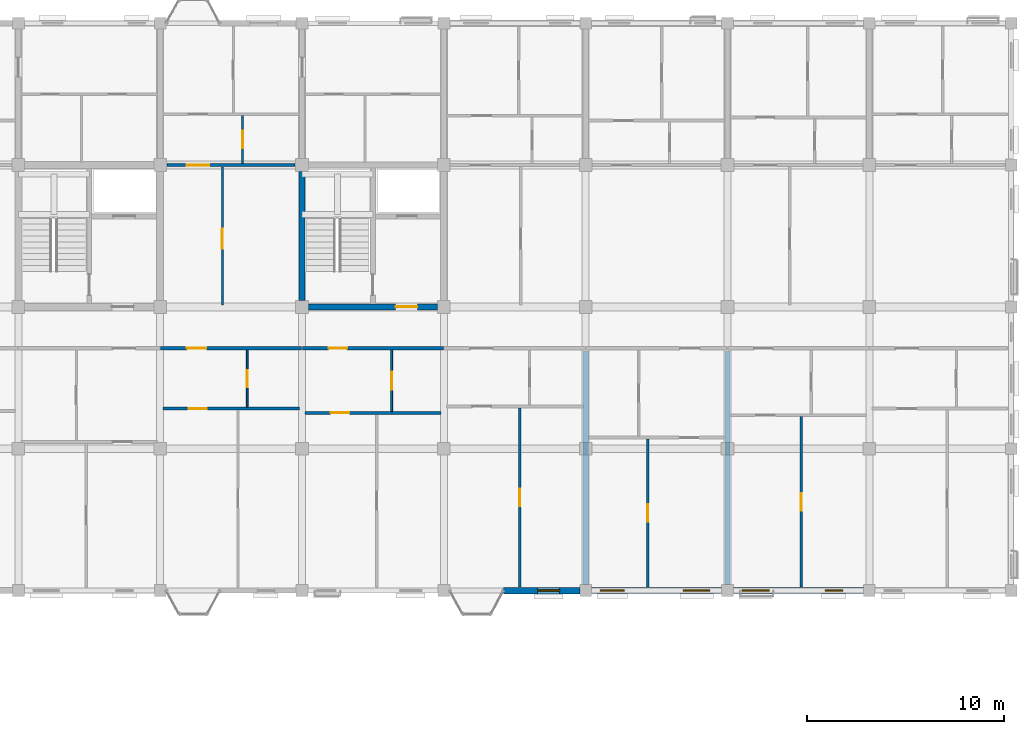
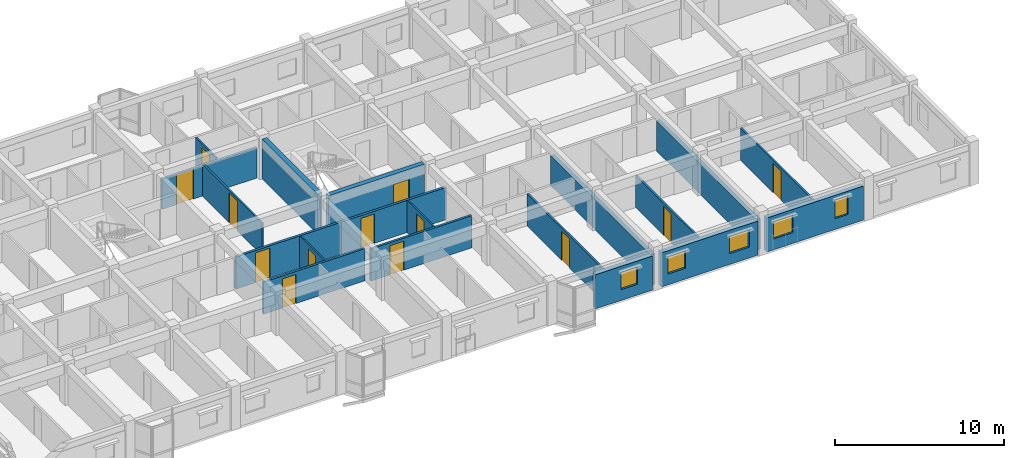
# One storey, part 108 of 124: 19 walls, 13 doors, 5 windows, 18 openings.
"""IFC4 building model written with IfcOpenShell, lengths in metres."""

from ifc_helpers import new_model, si_unit, direction, frame, frame_2d, origin, place, context, subcontext, project, spatial, rectangle, extrude, material, layer, layer_set, type_object, element, fill, save


model = new_model("IFC4")

# Units and contexts
model_context = context("Model", 3, precision=1e-05, world=origin(), true_north=direction((0.0, 1.0)))
body_context = subcontext(model_context, "Body", "Model", "MODEL_VIEW")
ifc_project = project(units=[si_unit("LENGTHUNIT", "METRE"), si_unit("AREAUNIT", "SQUARE_METRE"), si_unit("VOLUMEUNIT", "CUBIC_METRE"), si_unit("PLANEANGLEUNIT", "RADIAN"), si_unit("MASSUNIT", "GRAM", prefix="KILO"), si_unit("THERMODYNAMICTEMPERATUREUNIT", "KELVIN"), si_unit("POWERUNIT", "WATT")], contexts=[model_context])

# Site, building, storey
site_placement = place(None, origin())
site = spatial("IfcSite", under=ifc_project, at=site_placement, CompositionType="ELEMENT")
building_placement = place(site_placement, origin())
building = spatial("IfcBuilding", under=site, at=building_placement, Name="Tavuni Mirador Residences", CompositionType="ELEMENT")
storey_placement = place(building_placement, frame((0.0, 0.0, 7.64990234375)))
storey = spatial("IfcBuildingStorey", under=building, at=storey_placement, Name="L02", CompositionType="ELEMENT", Elevation=7.64990234375)

# Wall
ifc_material_1 = material(Name="Precast concrete C40/50", Category="concrete")
ifc_layer_1 = layer(ifc_material_1, 0.320068359375, Name="Precast concrete C40/50", Category="concrete")
ifc_layer_set_1 = layer_set([ifc_layer_1], Name="Precast concrete C40/50")
wall_type_1 = type_object("IfcWallType", Name="WT-COR320", PredefinedType="SHEAR", material=ifc_layer_set_1)
wall_1_placement = place(storey_placement, frame((39.60009765625, 158.72509765625, 0.0), z_axis=(0.0, 0.0, 1.0), x_axis=(0.0, 1.0, 0.0)))
element("IfcWall", 1, at=wall_1_placement, inside=storey, type_object=wall_type_1, Name="CWALL-C6-L02-W", PredefinedType="SHEAR", context=body_context, shape_type="SweptSolid", body=[
    extrude(rectangle(XDim=6.5498046875, YDim=0.320068359375, at=frame_2d((3.27490234375, 0.0))), origin(), (0.0, 0.0, 1.0), 2.885009765625),
])

# Wall, opening, door
wall_2_placement = place(storey_placement, frame((39.925048828125, 158.39990234375, 0.0), z_axis=(0.0, 0.0, 1.0), x_axis=(1.0, 0.0, 0.0)))
wall_2 = element("IfcWall", 2, at=wall_2_placement, inside=storey, type_object=wall_type_1, Name="CWALL-C6-L02-SS", PredefinedType="SHEAR", context=body_context, shape_type="SweptSolid", body=[
    extrude(rectangle(XDim=6.550048828125, YDim=0.320068359375, at=frame_2d((3.27490234375, 0.0))), origin(), (0.0, 0.0, 1.0), 2.885009765625),
])
opening_1_placement = place(wall_2_placement, frame((4.425048828125, 0.0, 0.0)))
opening_1 = element("IfcOpeningElement", 3, at=opening_1_placement, cuts=wall_2, Name="Opening D-02", PredefinedType="OPENING", context=body_context, shape_type="SweptSolid", body=[
    extrude(rectangle(XDim=1.10009765625, YDim=2.14990234375, at=frame_2d((0.550048828125, 1.074951171875))), frame((0.0, 0.169921875, 0.0), z_axis=(0.0, -1.0, 0.0), x_axis=(1.0, 0.0, 0.0)), (0.0, 0.0, 1.0), 0.340087890625),
])
ifc_material_2 = material(Name="Solid core iroko timber", Category="wood")
door_type_1 = type_object("IfcDoorType", Name="DT-LOB1100", OperationType="NOTDEFINED", PredefinedType="DOOR", material=ifc_material_2)
door_1_placement = place(opening_1_placement, frame((1.10009765625, 0.0, 0.0), z_axis=(0.0, 0.0, 1.0), x_axis=(-1.0, 0.0, 0.0)))
door_1 = element("IfcDoor", 4, at=door_1_placement, inside=storey, type_object=door_type_1, Name="DR-2225", OperationType="SINGLE_SWING_LEFT", OverallHeight=2.14990234375, OverallWidth=1.10009765625, PredefinedType="DOOR", context=body_context, shape_type="SweptSolid", body=[
    extrude(rectangle(XDim=1.10009765625, YDim=2.14990234375, at=frame_2d((0.550048828125, 1.074951171875))), frame((0.0, 0.02490234375, 0.0), z_axis=(0.0, -1.0, 0.0), x_axis=(1.0, 0.0, 0.0)), (0.0, 0.0, 1.0), 0.050048828125),
])
fill(opening_1, door_1)

ifc_layer_2 = layer(ifc_material_1, 0.1650390625, Name="Precast concrete C40/50", Category="concrete")
ifc_layer_set_2 = layer_set([ifc_layer_2], Name="Precast concrete C40/50")
wall_type_2 = type_object("IfcWallType", Name="WT-CORR165", PredefinedType="PARTITIONING", material=ifc_layer_set_2)
wall_3_placement = place(storey_placement, frame((32.419921875, 156.300048828125, 0.0), z_axis=(0.0, 0.0, 1.0), x_axis=(1.0, 0.0, 0.0)))
wall_3 = element("IfcWall", 5, at=wall_3_placement, inside=storey, type_object=wall_type_2, Name="CORW-BLK-C-L02-0-03", PredefinedType="PARTITIONING", context=body_context, shape_type="SweptSolid", body=[
    extrude(rectangle(XDim=7.16015625, YDim=0.1650390625, at=frame_2d((3.580078125, 0.0))), origin(), (0.0, 0.0, 1.0), 2.320068359375),
])
opening_2_placement = place(wall_3_placement, frame((1.330078125, 0.0, 0.0)))
opening_2 = element("IfcOpeningElement", 6, at=opening_2_placement, cuts=wall_3, Name="Opening D-03", PredefinedType="OPENING", context=body_context, shape_type="SweptSolid", body=[
    extrude(rectangle(XDim=1.0, YDim=2.14990234375, at=frame_2d((0.5, 1.074951171875))), frame((0.0, 0.092529296875, 0.0), z_axis=(0.0, -1.0, 0.0), x_axis=(1.0, 0.0, 0.0)), (0.0, 0.0, 1.0), 0.18505859375),
])
door_type_2 = type_object("IfcDoorType", Name="DT-FD60-1000", OperationType="NOTDEFINED", PredefinedType="DOOR", material=ifc_material_2)
door_2_placement = place(opening_2_placement, origin())
door_2 = element("IfcDoor", 7, at=door_2_placement, inside=storey, type_object=door_type_2, Name="DR-2646", OperationType="SINGLE_SWING_LEFT", OverallHeight=2.14990234375, OverallWidth=1.0, PredefinedType="DOOR", context=body_context, shape_type="SweptSolid", body=[
    extrude(rectangle(XDim=1.0, YDim=2.14990234375, at=frame_2d((0.5, 1.074951171875))), frame((0.0, 0.02490234375, 0.0), z_axis=(0.0, -1.0, 0.0), x_axis=(1.0, 0.0, 0.0)), (0.0, 0.0, 1.0), 0.050048828125),
])
fill(opening_2, door_2)

wall_4_placement = place(storey_placement, frame((39.6201171875, 156.300048828125, 0.0), z_axis=(0.0, 0.0, 1.0), x_axis=(1.0, 0.0, 0.0)))
wall_4 = element("IfcWall", 8, at=wall_4_placement, inside=storey, type_object=wall_type_2, Name="CORW-BLK-C-L02-0-04", PredefinedType="PARTITIONING", context=body_context, shape_type="SweptSolid", body=[
    extrude(rectangle(XDim=7.159912109375, YDim=0.1650390625, at=frame_2d((3.580078125, 0.0))), origin(), (0.0, 0.0, 1.0), 2.320068359375),
])
opening_3_placement = place(wall_4_placement, frame((1.330078125, 0.0, 0.0)))
opening_3 = element("IfcOpeningElement", 9, at=opening_3_placement, cuts=wall_4, Name="Opening D-19", PredefinedType="OPENING", context=body_context, shape_type="SweptSolid", body=[
    extrude(rectangle(XDim=0.93994140625, YDim=2.1201171875, at=frame_2d((0.469970703125, 1.06005859375))), frame((0.0, 0.092529296875, 0.0), z_axis=(0.0, -1.0, 0.0), x_axis=(1.0, 0.0, 0.0)), (0.0, 0.0, 1.0), 0.18505859375),
])
door_type_3 = type_object("IfcDoorType", Name="DT-FD60-940", OperationType="NOTDEFINED", PredefinedType="DOOR", material=ifc_material_2)
door_3_placement = place(opening_3_placement, origin())
door_3 = element("IfcDoor", 10, at=door_3_placement, inside=storey, type_object=door_type_3, Name="DR-2647", OperationType="SINGLE_SWING_RIGHT", OverallHeight=2.1201171875, OverallWidth=0.93994140625, PredefinedType="DOOR", context=body_context, shape_type="SweptSolid", body=[
    extrude(rectangle(XDim=0.93994140625, YDim=2.1201171875, at=frame_2d((0.469970703125, 1.06005859375))), frame((0.0, 0.02490234375, 0.0), z_axis=(0.0, -1.0, 0.0), x_axis=(1.0, 0.0, 0.0)), (0.0, 0.0, 1.0), 0.050048828125),
])
fill(opening_3, door_3)

wall_5_placement = place(storey_placement, frame((32.75, 165.60009765625, 0.0), z_axis=(0.0, 0.0, 1.0), x_axis=(1.0, 0.0, 0.0)))
wall_5 = element("IfcWall", 11, at=wall_5_placement, inside=storey, type_object=wall_type_2, Name="CORW-BLK-C-L02-1-03", PredefinedType="PARTITIONING", context=body_context, shape_type="SweptSolid", body=[
    extrude(rectangle(XDim=6.5, YDim=0.1650390625, at=frame_2d((3.25, 0.0))), origin(), (0.0, 0.0, 1.0), 2.18505859375),
])
opening_4_placement = place(wall_5_placement, frame((1.0, 0.0, 0.0)))
opening_4 = element("IfcOpeningElement", 12, at=opening_4_placement, cuts=wall_5, Name="Opening D-20", PredefinedType="OPENING", context=body_context, shape_type="SweptSolid", body=[
    extrude(rectangle(XDim=1.139892578125, YDim=2.179931640625, at=frame_2d((0.56982421875, 1.08984375))), frame((0.0, 0.092529296875, 0.0), z_axis=(0.0, -1.0, 0.0), x_axis=(1.0, 0.0, 0.0)), (0.0, 0.0, 1.0), 0.18505859375),
])
door_type_4 = type_object("IfcDoorType", Name="DT-FD60-1140", OperationType="NOTDEFINED", PredefinedType="DOOR", material=ifc_material_2)
door_4_placement = place(opening_4_placement, origin())
door_4 = element("IfcDoor", 13, at=door_4_placement, inside=storey, type_object=door_type_4, Name="DR-2654", OperationType="SINGLE_SWING_LEFT", OverallHeight=2.179931640625, OverallWidth=1.139892578125, PredefinedType="DOOR", context=body_context, shape_type="SweptSolid", body=[
    extrude(rectangle(XDim=1.139892578125, YDim=2.179931640625, at=frame_2d((0.56982421875, 1.08984375))), frame((0.0, 0.02490234375, 0.0), z_axis=(0.0, -1.0, 0.0), x_axis=(1.0, 0.0, 0.0)), (0.0, 0.0, 1.0), 0.050048828125),
])
fill(opening_4, door_4)

# Wall, opening, window
ifc_layer_3 = layer(ifc_material_1, 0.330078125, Name="Precast concrete C40/50", Category="concrete")
ifc_layer_set_3 = layer_set([ifc_layer_3], Name="Precast concrete C40/50")
wall_type_3 = type_object("IfcWallType", Name="WT-EXT-COR330", PredefinedType="SOLIDWALL", material=ifc_layer_set_3)
wall_6_placement = place(storey_placement, frame((49.820068359375, 144.0, 0.0), z_axis=(0.0, 0.0, 1.0), x_axis=(1.0, 0.0, 0.0)))
wall_6 = element("IfcWall", 14, at=wall_6_placement, inside=storey, type_object=wall_type_3, Name="EW-BLK-C-L02-S05", PredefinedType="SOLIDWALL", context=body_context, shape_type="SweptSolid", body=[
    extrude(rectangle(XDim=3.8798828125, YDim=0.330078125, at=frame_2d((1.93994140625, 0.0))), origin(), (0.0, 0.0, 1.0), 2.455078125),
])
opening_5_placement = place(wall_6_placement, frame((1.739990234375, 0.0, 0.780029296875)))
opening_5 = element("IfcOpeningElement", 15, at=opening_5_placement, cuts=wall_6, Name="Opening WN-12", PredefinedType="OPENING", context=body_context, shape_type="SweptSolid", body=[
    extrude(rectangle(XDim=1.1201171875, YDim=1.260009765625, at=frame_2d((0.56005859375, 0.6298828125))), frame((0.0, 0.175048828125, 0.0), z_axis=(0.0, -1.0, 0.0), x_axis=(1.0, 0.0, 0.0)), (0.0, 0.0, 1.0), 0.35009765625),
])
ifc_material_3 = material(Name="Laminated solar-control glass", Category="glass")
window_type_1 = type_object("IfcWindowType", Name="WNT-12", PartitioningType="SINGLE_PANEL", PredefinedType="WINDOW", material=ifc_material_3)
window_1_placement = place(opening_5_placement, origin())
window_1 = element("IfcWindow", 16, at=window_1_placement, inside=storey, type_object=window_type_1, Name="WIN-0909", OverallHeight=1.260009765625, OverallWidth=1.1201171875, PartitioningType="SINGLE_PANEL", PredefinedType="WINDOW", context=body_context, shape_type="SweptSolid", body=[
    extrude(rectangle(XDim=1.1201171875, YDim=1.260009765625, at=frame_2d((0.56005859375, 0.6298828125))), frame((0.0, 0.030029296875, 0.0), z_axis=(0.0, -1.0, 0.0), x_axis=(1.0, 0.0, 0.0)), (0.0, 0.0, 1.0), 0.06005859375),
])
fill(opening_5, window_1)

# Wall, openings, windows
ifc_material_4 = material(Name="Sgraffito lime-rendered precast concrete C40/50", Category="concrete")
ifc_layer_4 = layer(ifc_material_4, 0.304931640625, Name="Sgraffito lime-rendered precast concrete C40/50", Category="concrete")
ifc_layer_set_4 = layer_set([ifc_layer_4], Name="Sgraffito lime-rendered precast concrete C40/50")
wall_type_4 = type_object("IfcWallType", Name="WT-EXT-PC305", PredefinedType="SOLIDWALL", material=ifc_layer_set_4)
wall_7_placement = place(storey_placement, frame((61.5, 144.0, 0.0), z_axis=(0.0, 0.0, 1.0), x_axis=(1.0, 0.0, 0.0)))
wall_7 = element("IfcWall", 17, at=wall_7_placement, inside=storey, type_object=wall_type_4, Name="EW-BLK-C-L02-S07", PredefinedType="SOLIDWALL", context=body_context, shape_type="SweptSolid", body=[
    extrude(rectangle(XDim=6.60009765625, YDim=0.304931640625, at=frame_2d((3.300048828125, 0.0))), origin(), (0.0, 0.0, 1.0), 2.455078125),
])
opening_6_placement = place(wall_7_placement, frame((0.449951171875, 0.0, 0.780029296875)))
opening_6 = element("IfcOpeningElement", 18, at=opening_6_placement, cuts=wall_7, Name="Opening WN-15", PredefinedType="OPENING", context=body_context, shape_type="SweptSolid", body=[
    extrude(rectangle(XDim=1.360107421875, YDim=1.260009765625, at=frame_2d((0.68017578125, 0.6298828125))), frame((0.0, 0.16259765625, 0.0), z_axis=(0.0, -1.0, 0.0), x_axis=(1.0, 0.0, 0.0)), (0.0, 0.0, 1.0), 0.324951171875),
])
opening_7_placement = place(wall_7_placement, frame((4.64990234375, 0.0, 0.780029296875)))
opening_7 = element("IfcOpeningElement", 19, at=opening_7_placement, cuts=wall_7, Name="Opening WN-17", PredefinedType="OPENING", context=body_context, shape_type="SweptSolid", body=[
    extrude(rectangle(XDim=0.89990234375, YDim=1.360107421875, at=frame_2d((0.449951171875, 0.68017578125))), frame((0.0, 0.16259765625, 0.0), z_axis=(0.0, -1.0, 0.0), x_axis=(1.0, 0.0, 0.0)), (0.0, 0.0, 1.0), 0.324951171875),
])
window_type_2 = type_object("IfcWindowType", Name="WNT-15", PartitioningType="SINGLE_PANEL", PredefinedType="WINDOW", material=ifc_material_3)
window_2_placement = place(opening_6_placement, origin())
window_2 = element("IfcWindow", 20, at=window_2_placement, inside=storey, type_object=window_type_2, Name="WIN-0912", OverallHeight=1.260009765625, OverallWidth=1.360107421875, PartitioningType="SINGLE_PANEL", PredefinedType="WINDOW", context=body_context, shape_type="SweptSolid", body=[
    extrude(rectangle(XDim=1.360107421875, YDim=1.260009765625, at=frame_2d((0.68017578125, 0.6298828125))), frame((0.0, 0.030029296875, 0.0), z_axis=(0.0, -1.0, 0.0), x_axis=(1.0, 0.0, 0.0)), (0.0, 0.0, 1.0), 0.06005859375),
])
fill(opening_6, window_2)
window_type_3 = type_object("IfcWindowType", Name="WNT-17", PartitioningType="SINGLE_PANEL", PredefinedType="WINDOW", material=ifc_material_3)
window_3_placement = place(opening_7_placement, origin())
window_3 = element("IfcWindow", 21, at=window_3_placement, inside=storey, type_object=window_type_3, Name="WIN-0913", OverallHeight=1.360107421875, OverallWidth=0.89990234375, PartitioningType="SINGLE_PANEL", PredefinedType="WINDOW", context=body_context, shape_type="SweptSolid", body=[
    extrude(rectangle(XDim=0.89990234375, YDim=1.360107421875, at=frame_2d((0.449951171875, 0.68017578125))), frame((0.0, 0.030029296875, 0.0), z_axis=(0.0, -1.0, 0.0), x_axis=(1.0, 0.0, 0.0)), (0.0, 0.0, 1.0), 0.06005859375),
])
fill(opening_7, window_3)

ifc_layer_5 = layer(ifc_material_4, 0.31494140625, Name="Sgraffito lime-rendered precast concrete C40/50", Category="concrete")
ifc_layer_set_5 = layer_set([ifc_layer_5], Name="Sgraffito lime-rendered precast concrete C40/50")
wall_type_5 = type_object("IfcWallType", Name="WT-EXT-PC315", PredefinedType="SOLIDWALL", material=ifc_layer_set_5)
wall_8_placement = place(storey_placement, frame((54.300048828125, 144.0, 0.0), z_axis=(0.0, 0.0, 1.0), x_axis=(1.0, 0.0, 0.0)))
wall_8 = element("IfcWall", 22, at=wall_8_placement, inside=storey, type_object=wall_type_5, Name="EW-BLK-C-L02-S06", PredefinedType="SOLIDWALL", context=body_context, shape_type="SweptSolid", body=[
    extrude(rectangle(XDim=6.599853515625, YDim=0.31494140625, at=frame_2d((3.2998046875, 0.0))), origin(), (0.0, 0.0, 1.0), 2.455078125),
])
opening_8_placement = place(wall_8_placement, frame((0.449951171875, 0.0, 0.780029296875)))
opening_8 = element("IfcOpeningElement", 23, at=opening_8_placement, cuts=wall_8, Name="Opening WN-13", PredefinedType="OPENING", context=body_context, shape_type="SweptSolid", body=[
    extrude(rectangle(XDim=1.199951171875, YDim=1.260009765625, at=frame_2d((0.60009765625, 0.6298828125))), frame((0.0, 0.16748046875, 0.0), z_axis=(0.0, -1.0, 0.0), x_axis=(1.0, 0.0, 0.0)), (0.0, 0.0, 1.0), 0.3349609375),
])
opening_9_placement = place(wall_8_placement, frame((4.64990234375, 0.0, 0.780029296875)))
opening_9 = element("IfcOpeningElement", 24, at=opening_9_placement, cuts=wall_8, Name="Opening WN-15", PredefinedType="OPENING", context=body_context, shape_type="SweptSolid", body=[
    extrude(rectangle(XDim=1.360107421875, YDim=1.260009765625, at=frame_2d((0.68017578125, 0.6298828125))), frame((0.0, 0.16748046875, 0.0), z_axis=(0.0, -1.0, 0.0), x_axis=(1.0, 0.0, 0.0)), (0.0, 0.0, 1.0), 0.3349609375),
])
window_type_4 = type_object("IfcWindowType", Name="WNT-13", PartitioningType="SINGLE_PANEL", PredefinedType="WINDOW", material=ifc_material_3)
window_4_placement = place(opening_8_placement, origin())
window_4 = element("IfcWindow", 25, at=window_4_placement, inside=storey, type_object=window_type_4, Name="WIN-0910", OverallHeight=1.260009765625, OverallWidth=1.199951171875, PartitioningType="SINGLE_PANEL", PredefinedType="WINDOW", context=body_context, shape_type="SweptSolid", body=[
    extrude(rectangle(XDim=1.199951171875, YDim=1.260009765625, at=frame_2d((0.60009765625, 0.6298828125))), frame((0.0, 0.030029296875, 0.0), z_axis=(0.0, -1.0, 0.0), x_axis=(1.0, 0.0, 0.0)), (0.0, 0.0, 1.0), 0.06005859375),
])
fill(opening_8, window_4)
window_5_placement = place(opening_9_placement, origin())
window_5 = element("IfcWindow", 26, at=window_5_placement, inside=storey, type_object=window_type_2, Name="WIN-0911", OverallHeight=1.260009765625, OverallWidth=1.360107421875, PartitioningType="SINGLE_PANEL", PredefinedType="WINDOW", context=body_context, shape_type="SweptSolid", body=[
    extrude(rectangle(XDim=1.360107421875, YDim=1.260009765625, at=frame_2d((0.68017578125, 0.6298828125))), frame((0.0, 0.030029296875, 0.0), z_axis=(0.0, -1.0, 0.0), x_axis=(1.0, 0.0, 0.0)), (0.0, 0.0, 1.0), 0.06005859375),
])
fill(opening_9, window_5)

# Wall, opening, door
ifc_material_5 = material(Name="Acoustic gypsum and concrete block partition", Category="concrete")
ifc_layer_6 = layer(ifc_material_5, 0.094970703125, Name="Acoustic gypsum and concrete block partition", Category="concrete")
ifc_layer_set_6 = layer_set([ifc_layer_6], Name="Acoustic gypsum and concrete block partition")
wall_type_6 = type_object("IfcWallType", Name="WT-PART095", PredefinedType="PARTITIONING", material=ifc_layer_set_6)
wall_9_placement = place(storey_placement, frame((36.820068359375, 153.31005859375, 0.0), z_axis=(0.0, 0.0, 1.0), x_axis=(0.0, 1.0, 0.0)))
wall_9 = element("IfcWall", 27, at=wall_9_placement, inside=storey, type_object=wall_type_6, Name="PW-BLK-C-L02-S03-IN1", PredefinedType="PARTITIONING", context=body_context, shape_type="SweptSolid", body=[
    extrude(rectangle(XDim=2.89990234375, YDim=0.094970703125, at=frame_2d((1.449951171875, 0.0))), origin(), (0.0, 0.0, 1.0), 2.320068359375),
])
opening_10_placement = place(wall_9_placement, frame((1.014892578125, 0.0, 0.0)))
opening_10 = element("IfcOpeningElement", 28, at=opening_10_placement, cuts=wall_9, Name="Opening D-10", PredefinedType="OPENING", context=body_context, shape_type="SweptSolid", body=[
    extrude(rectangle(XDim=0.8701171875, YDim=2.050048828125, at=frame_2d((0.43505859375, 1.02490234375))), frame((0.0, 0.0576171875, 0.0), z_axis=(0.0, -1.0, 0.0), x_axis=(1.0, 0.0, 0.0)), (0.0, 0.0, 1.0), 0.114990234375),
])
door_type_5 = type_object("IfcDoorType", Name="DT-WC870", OperationType="NOTDEFINED", PredefinedType="DOOR", material=ifc_material_2)
door_5_placement = place(opening_10_placement, origin())
door_5 = element("IfcDoor", 29, at=door_5_placement, inside=storey, type_object=door_type_5, Name="DR-3759", OperationType="SINGLE_SWING_RIGHT", OverallHeight=2.050048828125, OverallWidth=0.8701171875, PredefinedType="DOOR", context=body_context, shape_type="SweptSolid", body=[
    extrude(rectangle(XDim=0.8701171875, YDim=2.050048828125, at=frame_2d((0.43505859375, 1.02490234375))), frame((0.0, 0.02490234375, 0.0), z_axis=(0.0, -1.0, 0.0), x_axis=(1.0, 0.0, 0.0)), (0.0, 0.0, 1.0), 0.050048828125),
])
fill(opening_10, door_5)

wall_10_placement = place(storey_placement, frame((44.14990234375, 153.090087890625, 0.0), z_axis=(0.0, 0.0, 1.0), x_axis=(0.0, 1.0, 0.0)))
wall_10 = element("IfcWall", 30, at=wall_10_placement, inside=storey, type_object=wall_type_6, Name="PW-BLK-C-L02-S04-IN1", PredefinedType="PARTITIONING", context=body_context, shape_type="SweptSolid", body=[
    extrude(rectangle(XDim=3.119873046875, YDim=0.094970703125, at=frame_2d((1.56005859375, 0.0))), origin(), (0.0, 0.0, 1.0), 2.320068359375),
])
opening_11_placement = place(wall_10_placement, frame((1.110107421875, 0.0, 0.0)))
opening_11 = element("IfcOpeningElement", 31, at=opening_11_placement, cuts=wall_10, Name="Opening D-09", PredefinedType="OPENING", context=body_context, shape_type="SweptSolid", body=[
    extrude(rectangle(XDim=0.89990234375, YDim=2.050048828125, at=frame_2d((0.449951171875, 1.02490234375))), frame((0.0, 0.0576171875, 0.0), z_axis=(0.0, -1.0, 0.0), x_axis=(1.0, 0.0, 0.0)), (0.0, 0.0, 1.0), 0.114990234375),
])
door_type_6 = type_object("IfcDoorType", Name="DT-WC900", OperationType="NOTDEFINED", PredefinedType="DOOR", material=ifc_material_2)
door_6_placement = place(opening_11_placement, origin())
door_6 = element("IfcDoor", 32, at=door_6_placement, inside=storey, type_object=door_type_6, Name="DR-3765", OperationType="SINGLE_SWING_LEFT", OverallHeight=2.050048828125, OverallWidth=0.89990234375, PredefinedType="DOOR", context=body_context, shape_type="SweptSolid", body=[
    extrude(rectangle(XDim=0.89990234375, YDim=2.050048828125, at=frame_2d((0.449951171875, 1.02490234375))), frame((0.0, 0.02490234375, 0.0), z_axis=(0.0, -1.0, 0.0), x_axis=(1.0, 0.0, 0.0)), (0.0, 0.0, 1.0), 0.050048828125),
])
fill(opening_11, door_6)

ifc_layer_7 = layer(ifc_material_5, 0.10498046875, Name="Acoustic gypsum and concrete block partition", Category="concrete")
ifc_layer_set_7 = layer_set([ifc_layer_7], Name="Acoustic gypsum and concrete block partition")
wall_type_7 = type_object("IfcWallType", Name="WT-PART105", PredefinedType="PARTITIONING", material=ifc_layer_set_7)
wall_11_placement = place(storey_placement, frame((36.580078125, 165.68994140625, 0.0), z_axis=(0.0, 0.0, 1.0), x_axis=(0.0, 1.0, 0.0)))
wall_11 = element("IfcWall", 33, at=wall_11_placement, inside=storey, type_object=wall_type_7, Name="PW-BLK-C-L02-N03-IN1", PredefinedType="PARTITIONING", context=body_context, shape_type="SweptSolid", body=[
    extrude(rectangle(XDim=2.420166015625, YDim=0.10498046875, at=frame_2d((1.2099609375, 0.0))), origin(), (0.0, 0.0, 1.0), 2.320068359375),
])
opening_12_placement = place(wall_11_placement, frame((0.760009765625, 0.0, 0.0)))
opening_12 = element("IfcOpeningElement", 34, at=opening_12_placement, cuts=wall_11, Name="Opening D-09", PredefinedType="OPENING", context=body_context, shape_type="SweptSolid", body=[
    extrude(rectangle(XDim=0.89990234375, YDim=2.050048828125, at=frame_2d((0.449951171875, 1.02490234375))), frame((0.0, 0.0625, 0.0), z_axis=(0.0, -1.0, 0.0), x_axis=(1.0, 0.0, 0.0)), (0.0, 0.0, 1.0), 0.125),
])
door_7_placement = place(opening_12_placement, origin())
door_7 = element("IfcDoor", 35, at=door_7_placement, inside=storey, type_object=door_type_6, Name="DR-3762", OperationType="SINGLE_SWING_LEFT", OverallHeight=2.050048828125, OverallWidth=0.89990234375, PredefinedType="DOOR", context=body_context, shape_type="SweptSolid", body=[
    extrude(rectangle(XDim=0.89990234375, YDim=2.050048828125, at=frame_2d((0.449951171875, 1.02490234375))), frame((0.0, 0.02490234375, 0.0), z_axis=(0.0, -1.0, 0.0), x_axis=(1.0, 0.0, 0.0)), (0.0, 0.0, 1.0), 0.050048828125),
])
fill(opening_12, door_7)

ifc_layer_8 = layer(ifc_material_5, 0.114990234375, Name="Acoustic gypsum and concrete block partition", Category="concrete")
ifc_layer_set_8 = layer_set([ifc_layer_8], Name="Acoustic gypsum and concrete block partition")
wall_type_8 = type_object("IfcWallType", Name="WT-PART115", PredefinedType="PARTITIONING", material=ifc_layer_set_8)
wall_12_placement = place(storey_placement, frame((35.56005859375, 158.489990234375, 0.0), z_axis=(0.0, 0.0, 1.0), x_axis=(0.0, 1.0, 0.0)))
wall_12 = element("IfcWall", 36, at=wall_12_placement, inside=storey, type_object=wall_type_8, Name="PW-SPN-BLK-C-L02-03", PredefinedType="PARTITIONING", context=body_context, shape_type="SweptSolid", body=[
    extrude(rectangle(XDim=7.02001953125, YDim=0.114990234375, at=frame_2d((3.510009765625, 0.0))), origin(), (0.0, 0.0, 1.0), 2.320068359375),
])
opening_13_placement = place(wall_12_placement, frame((2.85009765625, 0.0, 0.0)))
opening_13 = element("IfcOpeningElement", 37, at=opening_13_placement, cuts=wall_12, Name="Opening D-13", PredefinedType="OPENING", context=body_context, shape_type="SweptSolid", body=[
    extrude(rectangle(XDim=1.02001953125, YDim=2.14990234375, at=frame_2d((0.510009765625, 1.074951171875))), frame((0.0, 0.0673828125, 0.0), z_axis=(0.0, -1.0, 0.0), x_axis=(1.0, 0.0, 0.0)), (0.0, 0.0, 1.0), 0.135009765625),
])
door_type_7 = type_object("IfcDoorType", Name="DT-MTG1020", OperationType="NOTDEFINED", PredefinedType="DOOR", material=ifc_material_2)
door_8_placement = place(opening_13_placement, origin())
door_8 = element("IfcDoor", 38, at=door_8_placement, inside=storey, type_object=door_type_7, Name="DR-3757", OperationType="SINGLE_SWING_RIGHT", OverallHeight=2.14990234375, OverallWidth=1.02001953125, PredefinedType="DOOR", context=body_context, shape_type="SweptSolid", body=[
    extrude(rectangle(XDim=1.02001953125, YDim=2.14990234375, at=frame_2d((0.510009765625, 1.074951171875))), frame((0.0, 0.02490234375, 0.0), z_axis=(0.0, -1.0, 0.0), x_axis=(1.0, 0.0, 0.0)), (0.0, 0.0, 1.0), 0.050048828125),
])
fill(opening_13, door_8)

wall_13_placement = place(storey_placement, frame((64.949951171875, 144.175048828125, 0.0), z_axis=(0.0, 0.0, 1.0), x_axis=(0.0, 1.0, 0.0)))
wall_13 = element("IfcWall", 39, at=wall_13_placement, inside=storey, type_object=wall_type_8, Name="PW-BLK-C-L02-S07-OUT", PredefinedType="PARTITIONING", context=body_context, shape_type="SweptSolid", body=[
    extrude(rectangle(XDim=8.655029296875, YDim=0.114990234375, at=frame_2d((4.32763671875, 0.0))), origin(), (0.0, 0.0, 1.0), 2.320068359375),
])
opening_14_placement = place(wall_13_placement, frame((3.87744140625, 0.0, 0.0)))
opening_14 = element("IfcOpeningElement", 40, at=opening_14_placement, cuts=wall_13, Name="Opening D-07", PredefinedType="OPENING", context=body_context, shape_type="SweptSolid", body=[
    extrude(rectangle(XDim=0.89990234375, YDim=2.10009765625, at=frame_2d((0.449951171875, 1.050048828125))), frame((0.0, 0.0673828125, 0.0), z_axis=(0.0, -1.0, 0.0), x_axis=(1.0, 0.0, 0.0)), (0.0, 0.0, 1.0), 0.135009765625),
])
door_type_8 = type_object("IfcDoorType", Name="DT-BED900", OperationType="NOTDEFINED", PredefinedType="DOOR", material=ifc_material_2)
door_9_placement = place(opening_14_placement, origin())
door_9 = element("IfcDoor", 41, at=door_9_placement, inside=storey, type_object=door_type_8, Name="DR-3783", OperationType="SINGLE_SWING_RIGHT", OverallHeight=2.10009765625, OverallWidth=0.89990234375, PredefinedType="DOOR", context=body_context, shape_type="SweptSolid", body=[
    extrude(rectangle(XDim=0.89990234375, YDim=2.10009765625, at=frame_2d((0.449951171875, 1.050048828125))), frame((0.0, 0.02490234375, 0.0), z_axis=(0.0, -1.0, 0.0), x_axis=(1.0, 0.0, 0.0)), (0.0, 0.0, 1.0), 0.050048828125),
])
fill(opening_14, door_9)

ifc_layer_9 = layer(ifc_material_5, 0.125, Name="Acoustic gypsum and concrete block partition", Category="concrete")
ifc_layer_set_9 = layer_set([ifc_layer_9], Name="Acoustic gypsum and concrete block partition")
wall_type_9 = type_object("IfcWallType", Name="WT-PART125", PredefinedType="PARTITIONING", material=ifc_layer_set_9)
wall_14_placement = place(storey_placement, frame((50.64990234375, 144.175048828125, 0.0), z_axis=(0.0, 0.0, 1.0), x_axis=(0.0, 1.0, 0.0)))
wall_14 = element("IfcWall", 42, at=wall_14_placement, inside=storey, type_object=wall_type_9, Name="PW-BLK-C-L02-S05-OUT", PredefinedType="PARTITIONING", context=body_context, shape_type="SweptSolid", body=[
    extrude(rectangle(XDim=9.10498046875, YDim=0.125, at=frame_2d((4.552490234375, 0.0))), origin(), (0.0, 0.0, 1.0), 2.320068359375),
])
opening_15_placement = place(wall_14_placement, frame((4.1025390625, 0.0, 0.0)))
opening_15 = element("IfcOpeningElement", 43, at=opening_15_placement, cuts=wall_14, Name="Opening D-07", PredefinedType="OPENING", context=body_context, shape_type="SweptSolid", body=[
    extrude(rectangle(XDim=0.89990234375, YDim=2.10009765625, at=frame_2d((0.449951171875, 1.050048828125))), frame((0.0, 0.072509765625, 0.0), z_axis=(0.0, -1.0, 0.0), x_axis=(1.0, 0.0, 0.0)), (0.0, 0.0, 1.0), 0.14501953125),
])
door_10_placement = place(opening_15_placement, origin())
door_10 = element("IfcDoor", 44, at=door_10_placement, inside=storey, type_object=door_type_8, Name="DR-3770", OperationType="SINGLE_SWING_RIGHT", OverallHeight=2.10009765625, OverallWidth=0.89990234375, PredefinedType="DOOR", context=body_context, shape_type="SweptSolid", body=[
    extrude(rectangle(XDim=0.89990234375, YDim=2.10009765625, at=frame_2d((0.449951171875, 1.050048828125))), frame((0.0, 0.02490234375, 0.0), z_axis=(0.0, -1.0, 0.0), x_axis=(1.0, 0.0, 0.0)), (0.0, 0.0, 1.0), 0.050048828125),
])
fill(opening_15, door_10)

wall_15_placement = place(storey_placement, frame((57.14990234375, 144.175048828125, 0.0), z_axis=(0.0, 0.0, 1.0), x_axis=(0.0, 1.0, 0.0)))
wall_15 = element("IfcWall", 45, at=wall_15_placement, inside=storey, type_object=wall_type_9, Name="PW-BLK-C-L02-S06-OUT", PredefinedType="PARTITIONING", context=body_context, shape_type="SweptSolid", body=[
    extrude(rectangle(XDim=7.52490234375, YDim=0.125, at=frame_2d((3.762451171875, 0.0))), origin(), (0.0, 0.0, 1.0), 2.320068359375),
])
opening_16_placement = place(wall_15_placement, frame((3.322509765625, 0.0, 0.0)))
opening_16 = element("IfcOpeningElement", 46, at=opening_16_placement, cuts=wall_15, Name="Opening D-08", PredefinedType="OPENING", context=body_context, shape_type="SweptSolid", body=[
    extrude(rectangle(XDim=0.8798828125, YDim=2.080078125, at=frame_2d((0.43994140625, 1.0400390625))), frame((0.0, 0.072509765625, 0.0), z_axis=(0.0, -1.0, 0.0), x_axis=(1.0, 0.0, 0.0)), (0.0, 0.0, 1.0), 0.14501953125),
])
door_type_9 = type_object("IfcDoorType", Name="DT-BED880", OperationType="NOTDEFINED", PredefinedType="DOOR", material=ifc_material_2)
door_11_placement = place(opening_16_placement, origin())
door_11 = element("IfcDoor", 47, at=door_11_placement, inside=storey, type_object=door_type_9, Name="DR-3776", OperationType="SINGLE_SWING_LEFT", OverallHeight=2.080078125, OverallWidth=0.8798828125, PredefinedType="DOOR", context=body_context, shape_type="SweptSolid", body=[
    extrude(rectangle(XDim=0.8798828125, YDim=2.080078125, at=frame_2d((0.43994140625, 1.0400390625))), frame((0.0, 0.02490234375, 0.0), z_axis=(0.0, -1.0, 0.0), x_axis=(1.0, 0.0, 0.0)), (0.0, 0.0, 1.0), 0.050048828125),
])
fill(opening_16, door_11)

ifc_layer_10 = layer(ifc_material_5, 0.14990234375, Name="Acoustic gypsum and concrete block partition", Category="concrete")
ifc_layer_set_10 = layer_set([ifc_layer_10], Name="Acoustic gypsum and concrete block partition")
wall_type_10 = type_object("IfcWallType", Name="WT-PART150", PredefinedType="PARTITIONING", material=ifc_layer_set_10)
wall_16_placement = place(storey_placement, frame((32.5400390625, 153.239990234375, 0.0), z_axis=(0.0, 0.0, 1.0), x_axis=(1.0, 0.0, 0.0)))
wall_16 = element("IfcWall", 48, at=wall_16_placement, inside=storey, type_object=wall_type_10, Name="PW-BLK-C-L02-S03-MID", PredefinedType="PARTITIONING", context=body_context, shape_type="SweptSolid", body=[
    extrude(rectangle(XDim=6.919921875, YDim=0.14990234375, at=frame_2d((3.4599609375, 0.0))), origin(), (0.0, 0.0, 1.0), 2.320068359375),
])
opening_17_placement = place(wall_16_placement, frame((1.31005859375, 0.0, 0.0)))
opening_17 = element("IfcOpeningElement", 49, at=opening_17_placement, cuts=wall_16, Name="Opening D-06", PredefinedType="OPENING", context=body_context, shape_type="SweptSolid", body=[
    extrude(rectangle(XDim=0.919921875, YDim=2.10009765625, at=frame_2d((0.4599609375, 1.050048828125))), frame((0.0, 0.0849609375, 0.0), z_axis=(0.0, -1.0, 0.0), x_axis=(1.0, 0.0, 0.0)), (0.0, 0.0, 1.0), 0.169921875),
])
door_type_10 = type_object("IfcDoorType", Name="DT-INT920", OperationType="NOTDEFINED", PredefinedType="DOOR", material=ifc_material_2)
door_12_placement = place(opening_17_placement, origin())
door_12 = element("IfcDoor", 50, at=door_12_placement, inside=storey, type_object=door_type_10, Name="DR-3760", OperationType="SINGLE_SWING_RIGHT", OverallHeight=2.10009765625, OverallWidth=0.919921875, PredefinedType="DOOR", context=body_context, shape_type="SweptSolid", body=[
    extrude(rectangle(XDim=0.919921875, YDim=2.10009765625, at=frame_2d((0.4599609375, 1.050048828125))), frame((0.0, 0.02490234375, 0.0), z_axis=(0.0, -1.0, 0.0), x_axis=(1.0, 0.0, 0.0)), (0.0, 0.0, 1.0), 0.050048828125),
])
fill(opening_17, door_12)

wall_17_placement = place(storey_placement, frame((39.739990234375, 153.02001953125, 0.0), z_axis=(0.0, 0.0, 1.0), x_axis=(1.0, 0.0, 0.0)))
wall_17 = element("IfcWall", 51, at=wall_17_placement, inside=storey, type_object=wall_type_10, Name="PW-BLK-C-L02-S04-MID", PredefinedType="PARTITIONING", context=body_context, shape_type="SweptSolid", body=[
    extrude(rectangle(XDim=6.919921875, YDim=0.14990234375, at=frame_2d((3.4599609375, 0.0))), origin(), (0.0, 0.0, 1.0), 2.320068359375),
])
opening_18_placement = place(wall_17_placement, frame((1.31005859375, 0.0, 0.0)))
opening_18 = element("IfcOpeningElement", 52, at=opening_18_placement, cuts=wall_17, Name="Opening D-05", PredefinedType="OPENING", context=body_context, shape_type="SweptSolid", body=[
    extrude(rectangle(XDim=0.949951171875, YDim=2.10009765625, at=frame_2d((0.47509765625, 1.050048828125))), frame((0.0, 0.0849609375, 0.0), z_axis=(0.0, -1.0, 0.0), x_axis=(1.0, 0.0, 0.0)), (0.0, 0.0, 1.0), 0.169921875),
])
door_type_11 = type_object("IfcDoorType", Name="DT-INT950", OperationType="NOTDEFINED", PredefinedType="DOOR", material=ifc_material_2)
door_13_placement = place(opening_18_placement, origin())
door_13 = element("IfcDoor", 53, at=door_13_placement, inside=storey, type_object=door_type_11, Name="DR-3766", OperationType="SINGLE_SWING_LEFT", OverallHeight=2.10009765625, OverallWidth=0.949951171875, PredefinedType="DOOR", context=body_context, shape_type="SweptSolid", body=[
    extrude(rectangle(XDim=0.949951171875, YDim=2.10009765625, at=frame_2d((0.47509765625, 1.050048828125))), frame((0.0, 0.02490234375, 0.0), z_axis=(0.0, -1.0, 0.0), x_axis=(1.0, 0.0, 0.0)), (0.0, 0.0, 1.0), 0.050048828125),
])
fill(opening_18, door_13)

# Walls
ifc_layer_11 = layer(ifc_material_1, 0.264892578125, Name="Precast concrete C40/50", Category="concrete")
ifc_layer_set_11 = layer_set([ifc_layer_11], Name="Precast concrete C40/50")
wall_type_11 = type_object("IfcWallType", Name="WT-XW265", PredefinedType="SOLIDWALL", material=ifc_layer_set_11)
for number, where, z_axis, x_axis, name in (
    (54, (54.0, 144.300048828125, 0.0), (0.0, 0.0, 1.0), (0.0, 1.0, 0.0), "XW-BLK-C-L02-S-06"),
    (55, (61.199951171875, 144.300048828125, 0.0), (0.0, 0.0, 1.0), (0.0, 1.0, 0.0), "XW-BLK-C-L02-S-07"),
):
    element("IfcWall", number, at=place(storey_placement, frame(where, z_axis=z_axis, x_axis=x_axis)), inside=storey, type_object=wall_type_11, Name=name, PredefinedType="SOLIDWALL", context=body_context, shape_type="SweptSolid", body=[
        extrude(rectangle(XDim=11.849853515625, YDim=0.264892578125, at=frame_2d((5.9248046875, 0.0))), origin(), (0.0, 0.0, 1.0), 2.18505859375),
    ])

save(model, "model.ifc")
